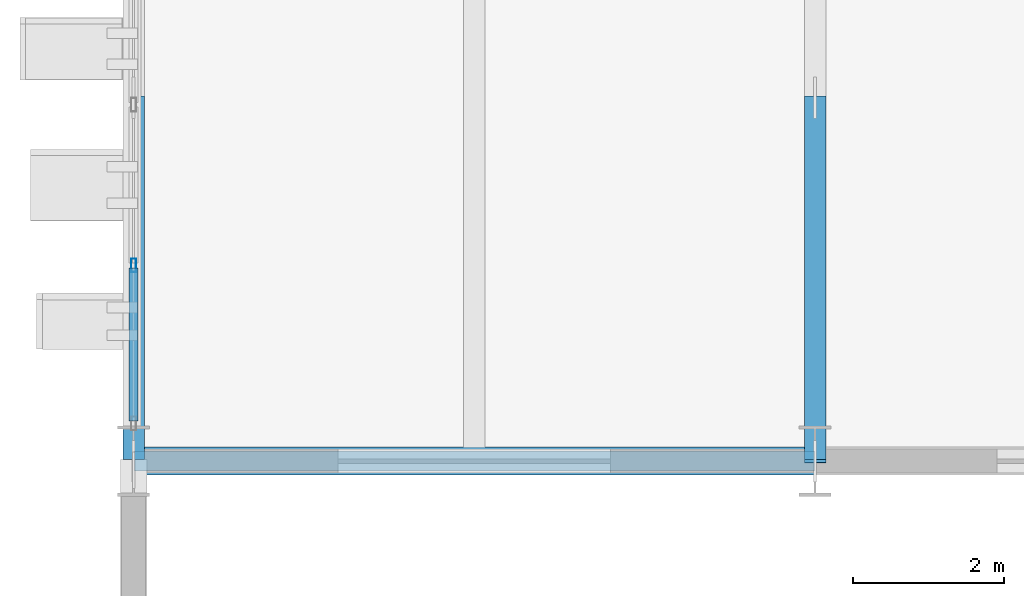
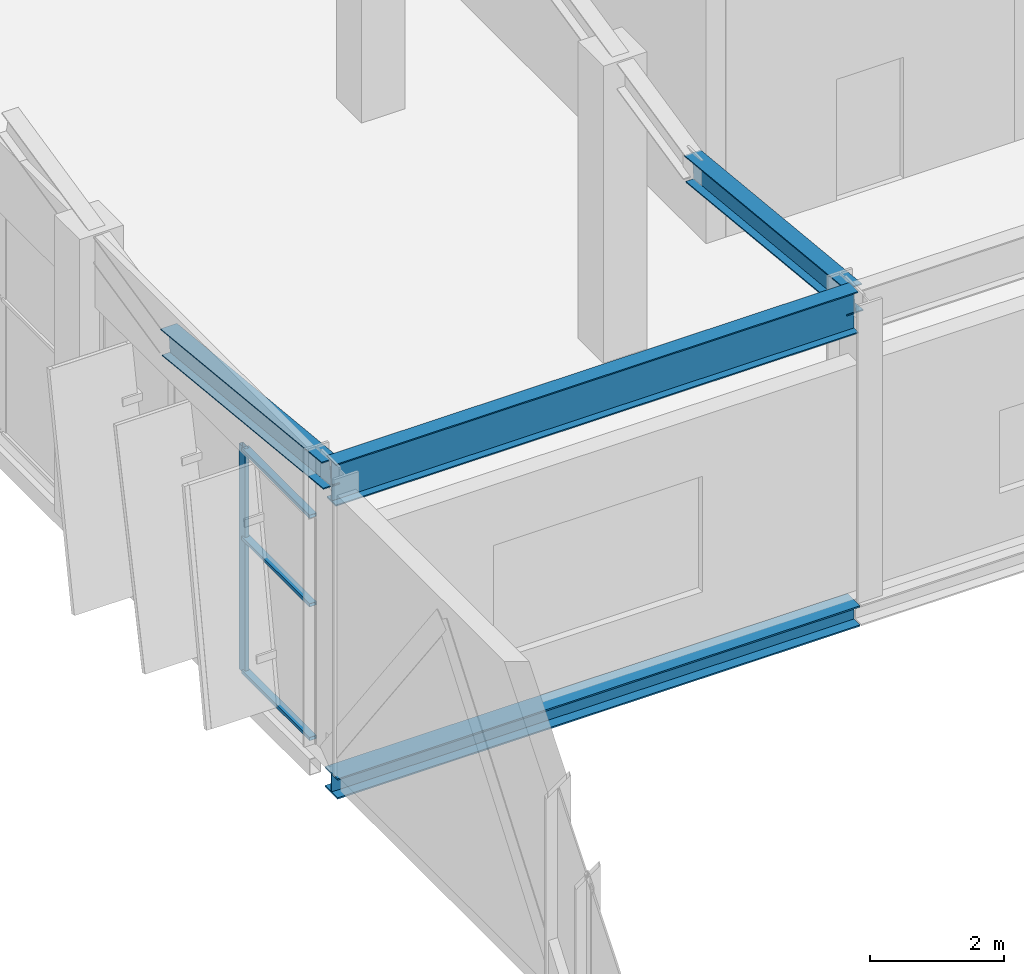
# One storey, part 35 of 189: 6 members, 2 beams, 1 element without a shape of its own.
"""IFC4 building model written with IfcOpenShell, lengths in metres."""

from ifc_helpers import new_model, si_unit, direction, frame, origin, origin_2d, place, context, subcontext, project, spatial, hollow_rectangle, i_section, extrude, material, layer, layer_set, material_profile, profile_set, type_object, element, aggregate, save


model = new_model("IFC4")

# Units and contexts
model_context = context("Model", 3, precision=1e-05, world=origin(), true_north=direction((0.0, 1.0)))
body_context = subcontext(model_context, "Body", "Model", "MODEL_VIEW")
ifc_project = project(units=[si_unit("LENGTHUNIT", "METRE"), si_unit("AREAUNIT", "SQUARE_METRE"), si_unit("VOLUMEUNIT", "CUBIC_METRE"), si_unit("PLANEANGLEUNIT", "RADIAN"), si_unit("MASSUNIT", "GRAM", prefix="KILO")], contexts=[model_context])

# Site, building, storey
site_placement = place(None, origin())
site = spatial("IfcSite", under=ifc_project, at=site_placement, CompositionType="ELEMENT")
building_placement = place(site_placement, origin())
building = spatial("IfcBuilding", under=site, at=building_placement, Name="Celestram Park Convention Centre", CompositionType="ELEMENT")
storey_placement = place(building_placement, frame((0.0, 0.0, 5.39990234375)))
storey = spatial("IfcBuildingStorey", under=building, at=storey_placement, Name="L01", CompositionType="ELEMENT", Elevation=5.39990234375)

# Curtain wall, members
ifc_material_1 = material(Name="Anodised Aluminium Alloy 6063-T6", Category="aluminium")
ifc_layer = layer(ifc_material_1, 0.179931640625)
ifc_layer_set = layer_set([ifc_layer], Name="Anodised Aluminium Alloy 6063-T6")
curtain_wall_type = type_object("IfcCurtainWallType", Name="ARC-CW-636X410", PredefinedType="NOTDEFINED", material=ifc_layer_set)
curtain_wall_placement = place(storey_placement, origin())
curtain_wall = element("IfcCurtainWall", 1, at=curtain_wall_placement, inside=storey, type_object=curtain_wall_type, Name="Unitised curtain wall CU-L01-043", PredefinedType="NOTDEFINED")
ifc_material_profile_1 = material_profile(ifc_material_1, hollow_rectangle(XDim=0.06494140625, YDim=0.179931640625, WallThickness=0.00390625, at=origin_2d()), Name="ALU65X180X4")
ifc_profile_set_1 = profile_set([ifc_material_profile_1], Name="Anodised Aluminium Alloy 6063-T6")
member_type_1 = type_object("IfcMemberType", Name="ARC-CWM-150", PredefinedType="MULLION", material=ifc_profile_set_1)
member_1_placement = place(storey_placement, frame((0.0, 110.5849609375, 0.0), z_axis=(0.0, 0.0, 1.0), x_axis=(-1.0, 0.0, 0.0)))
member_1 = element("IfcMember", 2, at=member_1_placement, type_object=member_type_1, Name="CW-63X41 mullion 2", PredefinedType="MULLION", context=body_context, shape_type="SweptSolid", body=[
    extrude(hollow_rectangle(XDim=0.06494140625, YDim=0.179931640625, WallThickness=0.00390625, at=origin_2d()), origin(), (0.0, 0.0, 1.0), 4.10009765625),
])
ifc_material_profile_2 = material_profile(ifc_material_1, hollow_rectangle(XDim=0.1201171875, YDim=0.06005859375, WallThickness=0.0029296875, at=origin_2d()), Name="ALU120X60X3")
ifc_profile_set_2 = profile_set([ifc_material_profile_2], Name="Anodised Aluminium Alloy 6063-T6")
member_type_2 = type_object("IfcMemberType", Name="ARC-CWT-120", PredefinedType="USERDEFINED", material=ifc_profile_set_2)
member_2_placement = place(storey_placement, frame((0.0, 108.529052734375, 0.030029296875), z_axis=(0.0, 1.0, 0.0), x_axis=(-1.0, 0.0, 0.0)))
member_2 = element("IfcMember", 3, at=member_2_placement, type_object=member_type_2, Name="CW-63X41 transom 1.1", ObjectType="TRANSOM", PredefinedType="USERDEFINED", context=body_context, shape_type="SweptSolid", body=[
    extrude(hollow_rectangle(XDim=0.1201171875, YDim=0.06005859375, WallThickness=0.0029296875, at=origin_2d()), origin(), (0.0, 0.0, 1.0), 2.0234375),
])
member_3_placement = place(storey_placement, frame((0.0, 108.529052734375, 2.460205078125), z_axis=(0.0, 1.0, 0.0), x_axis=(-1.0, 0.0, 0.0)))
member_3 = element("IfcMember", 4, at=member_3_placement, type_object=member_type_2, Name="CW-63X41 transom 1.2", ObjectType="TRANSOM", PredefinedType="USERDEFINED", context=body_context, shape_type="SweptSolid", body=[
    extrude(hollow_rectangle(XDim=0.1201171875, YDim=0.06005859375, WallThickness=0.0029296875, at=origin_2d()), origin(), (0.0, 0.0, 1.0), 2.0234375),
])
member_4_placement = place(storey_placement, frame((0.0, 108.529052734375, 4.070068359375), z_axis=(0.0, 1.0, 0.0), x_axis=(-1.0, 0.0, 0.0)))
member_4 = element("IfcMember", 5, at=member_4_placement, type_object=member_type_2, Name="CW-63X41 transom 1.3", ObjectType="TRANSOM", PredefinedType="USERDEFINED", context=body_context, shape_type="SweptSolid", body=[
    extrude(hollow_rectangle(XDim=0.1201171875, YDim=0.06005859375, WallThickness=0.0029296875, at=origin_2d()), origin(), (0.0, 0.0, 1.0), 2.0234375),
])
aggregate(curtain_wall, [member_1, member_2, member_3, member_4])

# Beam
ifc_material_2 = material(Name="Steel ASTM A992 Grade 50", Category="steel")
ifc_material_profile_3 = material_profile(ifc_material_2, i_section(OverallWidth=0.26708984375, OverallDepth=0.761962890625, WebThickness=0.014404296875, FlangeThickness=0.021484375, at=origin_2d()), Name="W30X116")
ifc_profile_set_3 = profile_set([ifc_material_profile_3], Name="Steel ASTM A992 Grade 50")
beam_type_1 = type_object("IfcBeamType", Name="STR-BM-W30X116", PredefinedType="BEAM", material=ifc_profile_set_3)
beam_1_placement = place(storey_placement, frame((0.010009765625, 108.0, 5.01904296875), z_axis=(1.0, 0.0, 0.0), x_axis=(0.0, 1.0, 0.0)))
element("IfcBeam", 6, at=beam_1_placement, inside=storey, type_object=beam_type_1, Name="West pavilion eaves girder BG-L01-0613", PredefinedType="BEAM", context=body_context, shape_type="SweptSolid", body=[
    extrude(i_section(OverallWidth=0.26708984375, OverallDepth=0.761962890625, WebThickness=0.014404296875, FlangeThickness=0.021484375, at=origin_2d()), origin(), (0.0, 0.0, 1.0), 8.97998046875),
])

# Members
ifc_material_profile_4 = material_profile(ifc_material_2, i_section(OverallWidth=0.281982421875, OverallDepth=0.467041015625, WebThickness=0.01220703125, FlangeThickness=0.01953125, at=origin_2d()), Name="W18X86")
ifc_profile_set_4 = profile_set([ifc_material_profile_4], Name="Steel ASTM A992 Grade 50")
member_type_3 = type_object("IfcMemberType", Name="STR-CHD-W18X86", PredefinedType="CHORD", material=ifc_profile_set_4)
for number, where, z_axis, x_axis, name in (
    (7, (0.0, 108.0, 5.1640625), (0.0, 0.994972344387, -0.100150056942), (-1.0, 0.0, 0.0), "WPV arch bottom chord"),
    (8, (9.0, 108.0, 5.1640625), (0.0, 0.994972344387, -0.100150056942), (-1.0, 0.0, 0.0), "WPV arch bottom chord"),
):
    element("IfcMember", number, at=place(storey_placement, frame(where, z_axis=z_axis, x_axis=x_axis)), inside=storey, type_object=member_type_3, Name=name, PredefinedType="CHORD", context=body_context, shape_type="SweptSolid", body=[
        extrude(i_section(OverallWidth=0.281982421875, OverallDepth=0.467041015625, WebThickness=0.01220703125, FlangeThickness=0.01953125, at=origin_2d()), origin(), (0.0, 0.0, 1.0), 4.82421875),
    ])

# Beam
ifc_material_profile_5 = material_profile(ifc_material_2, i_section(OverallWidth=0.373046875, OverallDepth=0.373046875, WebThickness=0.016357421875, FlangeThickness=0.026123046875, at=origin_2d()), Name="W14X132")
ifc_profile_set_5 = profile_set([ifc_material_profile_5], Name="Steel ASTM A992 Grade 50")
beam_type_2 = type_object("IfcBeamType", Name="STR-SPN-W14X132", PredefinedType="SPANDREL", material=ifc_profile_set_5)
beam_2_placement = place(storey_placement, frame((0.010009765625, 108.0, -0.46630859375), z_axis=(1.0, 0.0, 0.0), x_axis=(0.0, 1.0, 0.0)))
element("IfcBeam", 9, at=beam_2_placement, inside=storey, type_object=beam_type_2, Name="Primary X-girder BG-L01-0001", PredefinedType="SPANDREL", context=body_context, shape_type="SweptSolid", body=[
    extrude(i_section(OverallWidth=0.373046875, OverallDepth=0.373046875, WebThickness=0.016357421875, FlangeThickness=0.026123046875, at=origin_2d()), origin(), (0.0, 0.0, 1.0), 8.97998046875),
])

save(model, "model.ifc")
